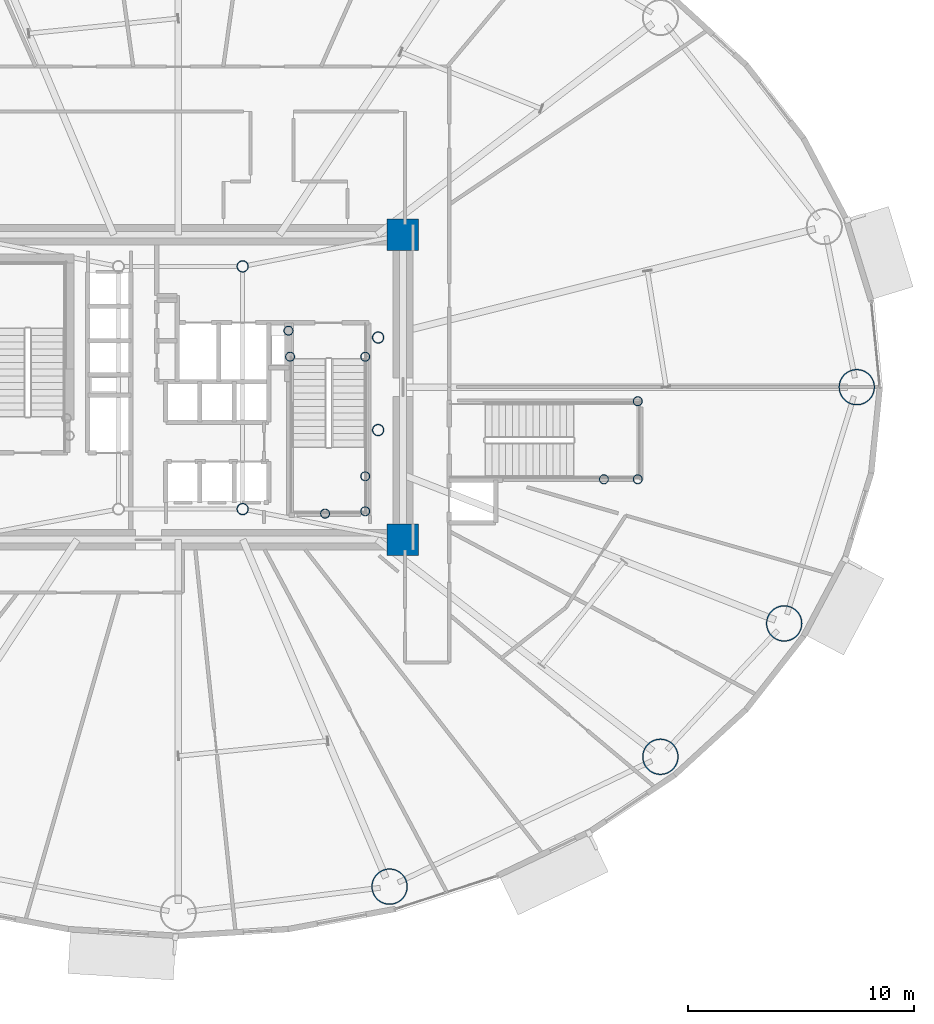
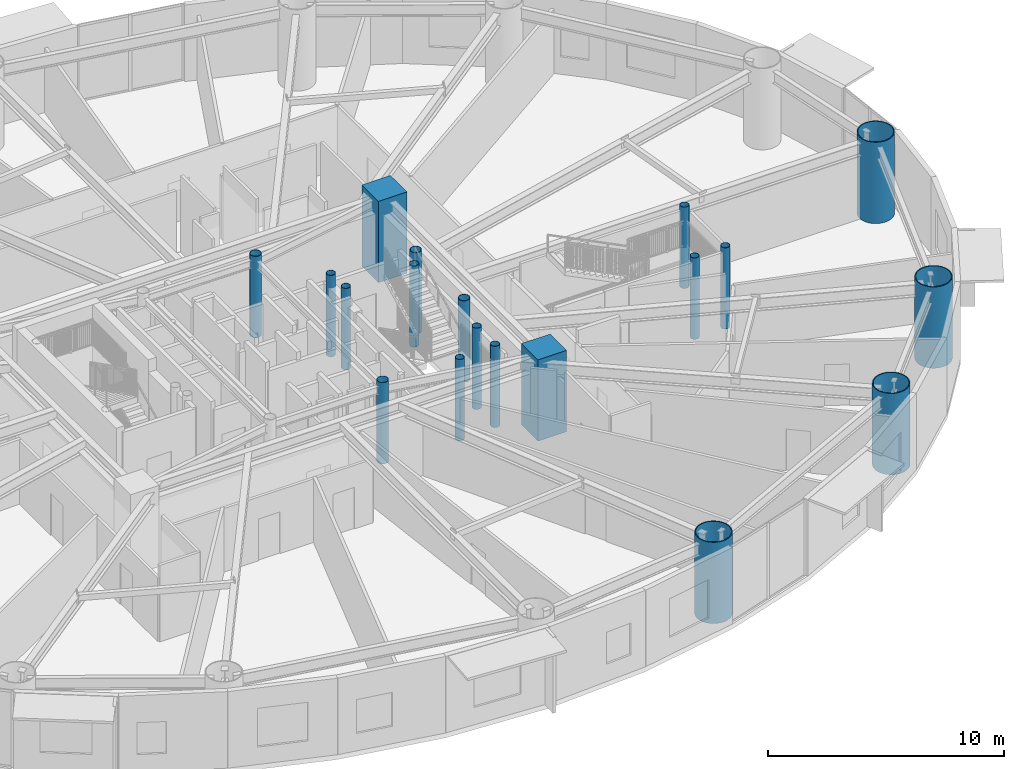
# One storey, part 2 of 32: 19 columns.
"""IFC4 building model written with IfcOpenShell, lengths in metres."""

from ifc_helpers import new_model, si_unit, direction, frame, origin, origin_2d, place, context, subcontext, project, spatial, rectangle, hollow_circle, extrude, material, material_profile, profile_set, type_object, element, save


model = new_model("IFC4")

# Units and contexts
model_context = context("Model", 3, precision=1e-05, world=origin(), true_north=direction((0.0, 1.0)))
body_context = subcontext(model_context, "Body", "Model", "MODEL_VIEW")
ifc_project = project(units=[si_unit("LENGTHUNIT", "METRE"), si_unit("AREAUNIT", "SQUARE_METRE"), si_unit("VOLUMEUNIT", "CUBIC_METRE"), si_unit("PLANEANGLEUNIT", "RADIAN"), si_unit("MASSUNIT", "GRAM", prefix="KILO")], contexts=[model_context])

# Site, building, storey
site_placement = place(None, origin())
site = spatial("IfcSite", under=ifc_project, at=site_placement, CompositionType="ELEMENT")
building_placement = place(site_placement, origin())
building = spatial("IfcBuilding", under=site, at=building_placement, Name="Linh Dai School and Residence Tower", CompositionType="ELEMENT")
storey_placement = place(building_placement, frame((0.0, 0.0, 53.39990234375)))
storey = spatial("IfcBuildingStorey", under=building, at=storey_placement, Name="L12", CompositionType="ELEMENT", Elevation=53.39990234375)

# Columns
ifc_material_1 = material(Name="Concrete B60 (C50/60)", Category="concrete")
ifc_material_profile_1 = material_profile(ifc_material_1, rectangle(XDim=1.39990234375, YDim=1.39990234375, at=origin_2d()), Name="RC 1400x1400")
ifc_profile_set_1 = profile_set([ifc_material_profile_1], Name="Concrete B60 (C50/60)")
column_type_1 = type_object("IfcColumnType", Name="COL-CC1", PredefinedType="COLUMN", material=ifc_profile_set_1)
for number, where, z_axis, x_axis, name in (
    (1, (45.949951171875, 20.25, 0.0), (0.0, 0.0, 1.0), (1.0, 0.0, 0.0), "L12 Core Corner Pier CC2"),
    (2, (45.949951171875, 33.75, 0.0), (0.0, 0.0, 1.0), (1.0, 0.0, 0.0), "L12 Core Corner Pier CC3"),
):
    element("IfcColumn", number, at=place(storey_placement, frame(where, z_axis=z_axis, x_axis=x_axis)), inside=storey, type_object=column_type_1, Name=name, PredefinedType="COLUMN", context=body_context, shape_type="SweptSolid", body=[
        extrude(rectangle(XDim=1.39990234375, YDim=1.39990234375, at=origin_2d()), origin(), (0.0, 0.0, 1.0), 4.2001953125),
    ])
ifc_material_2 = material(Name="Structural Steel S355JR", Category="steel")
ifc_material_profile_2 = material_profile(ifc_material_2, hollow_circle(Radius=0.203125, WallThickness=0.01611328125, at=origin_2d()), Name="CHS 406.4x16")
ifc_profile_set_2 = profile_set([ifc_material_profile_2], Name="Structural Steel S355JR")
column_type_2 = type_object("IfcColumnType", Name="COL-EC", PredefinedType="COLUMN", material=ifc_profile_set_2)
for number, where, z_axis, x_axis, name in (
    (3, (44.280029296875, 21.5, 0.0), (0.0, 0.0, 1.0), (1.0, 0.0, 0.0), "L12 Stair Shaft Landing Support Pier ST2SE"),
    (4, (44.280029296875, 23.050048828125, 0.0), (0.0, 0.0, 1.0), (1.0, 0.0, 0.0), "L12 Stair Shaft Landing Support Pier ST2NE"),
    (5, (42.5, 21.39990234375, 0.0), (0.0, 0.0, 1.0), (1.0, 0.0, 0.0), "L12 Stair Shaft Landing Support Pier ST2MS"),
    (6, (40.949951171875, 28.35009765625, 0.0), (0.0, 0.0, 1.0), (1.0, 0.0, 0.0), "L12 Stair Shaft Landing Support Pier ST2N1"),
    (7, (44.280029296875, 28.35009765625, 0.0), (0.0, 0.0, 1.0), (1.0, 0.0, 0.0), "L12 Stair Shaft Landing Support Pier ST2N2"),
    (8, (40.8798828125, 29.5, 0.0), (0.0, 0.0, 1.0), (1.0, 0.0, 0.0), "L12 Stair Shaft Landing Support Pier ST2N3"),
    (9, (56.35009765625, 26.3798828125, 0.0), (0.0, 0.0, 1.0), (1.0, 0.0, 0.0), "L12 Stair Shaft Landing Support Pier STS2NE"),
    (10, (56.35009765625, 22.919921875, 0.0), (0.0, 0.0, 1.0), (1.0, 0.0, 0.0), "L12 Stair Shaft Landing Support Pier STS2SE"),
    (11, (54.85009765625, 22.919921875, 0.0), (0.0, 0.0, 1.0), (1.0, 0.0, 0.0), "L12 Stair Shaft Landing Support Pier STS2MW"),
):
    element("IfcColumn", number, at=place(storey_placement, frame(where, z_axis=z_axis, x_axis=x_axis)), inside=storey, type_object=column_type_2, Name=name, PredefinedType="COLUMN", context=body_context, shape_type="SweptSolid", body=[
        extrude(hollow_circle(Radius=0.203125, WallThickness=0.01611328125, at=origin_2d()), origin(), (0.0, 0.0, 1.0), 4.2001953125),
    ])
ifc_material_profile_3 = material_profile(ifc_material_2, hollow_circle(Radius=0.800048828125, WallThickness=0.044921875, at=origin_2d()), Name="CHS 1600x45")
ifc_profile_set_3 = profile_set([ifc_material_profile_3], Name="Structural Steel S355JR")
column_type_3 = type_object("IfcColumnType", Name="COL-MC2", PredefinedType="COLUMN", material=ifc_profile_set_3)
for number, where, z_axis, x_axis, name in (
    (12, (66.050048828125, 27.0, 0.0), (0.0, 0.0, 1.0), (1.0, 0.0, 0.0), "L12 Perimeter CFT Mega-Column MC01"),
    (13, (45.357666015625, 4.880126953125, 0.0), (0.0, 0.0, 1.0), (1.0, 0.0, 0.0), "L12 Perimeter CFT Mega-Column MC14"),
    (14, (57.352783203125, 10.630859375, 0.0), (0.0, 0.0, 1.0), (1.0, 0.0, 0.0), "L12 Perimeter CFT Mega-Column MC15"),
    (15, (62.83544921875, 16.5361328125, 0.0), (0.0, 0.0, 1.0), (1.0, 0.0, 0.0), "L12 Perimeter CFT Mega-Column MC16"),
):
    element("IfcColumn", number, at=place(storey_placement, frame(where, z_axis=z_axis, x_axis=x_axis)), inside=storey, type_object=column_type_3, Name=name, PredefinedType="COLUMN", context=body_context, shape_type="SweptSolid", body=[
        extrude(hollow_circle(Radius=0.800048828125, WallThickness=0.044921875, at=origin_2d()), origin(), (0.0, 0.0, 1.0), 4.2001953125),
    ])
ifc_material_profile_4 = material_profile(ifc_material_2, hollow_circle(Radius=0.25390625, WallThickness=0.02001953125, at=origin_2d()), Name="CHS 508x20")
ifc_profile_set_4 = profile_set([ifc_material_profile_4], Name="Structural Steel S355JR")
column_type_4 = type_object("IfcColumnType", Name="COL-MCP", PredefinedType="COLUMN", material=ifc_profile_set_4)
for number, where, z_axis, x_axis, name in (
    (16, (38.85009765625, 21.60009765625, 0.0), (0.0, 0.0, 1.0), (1.0, 0.0, 0.0), "L12 Core Mast Support Pier MCP2"),
    (17, (38.85009765625, 32.35009765625, 0.0), (0.0, 0.0, 1.0), (1.0, 0.0, 0.0), "L12 Core Mast Support Pier MCP3"),
    (18, (44.85009765625, 25.10009765625, 0.0), (0.0, 0.0, 1.0), (1.0, 0.0, 0.0), "L12 Sky-Lounge Core Anchor Pier S"),
    (19, (44.85009765625, 29.199951171875, 0.0), (0.0, 0.0, 1.0), (1.0, 0.0, 0.0), "L12 Sky-Lounge Core Anchor Pier N"),
):
    element("IfcColumn", number, at=place(storey_placement, frame(where, z_axis=z_axis, x_axis=x_axis)), inside=storey, type_object=column_type_4, Name=name, PredefinedType="COLUMN", context=body_context, shape_type="SweptSolid", body=[
        extrude(hollow_circle(Radius=0.25390625, WallThickness=0.02001953125, at=origin_2d()), origin(), (0.0, 0.0, 1.0), 4.2001953125),
    ])

save(model, "model.ifc")
